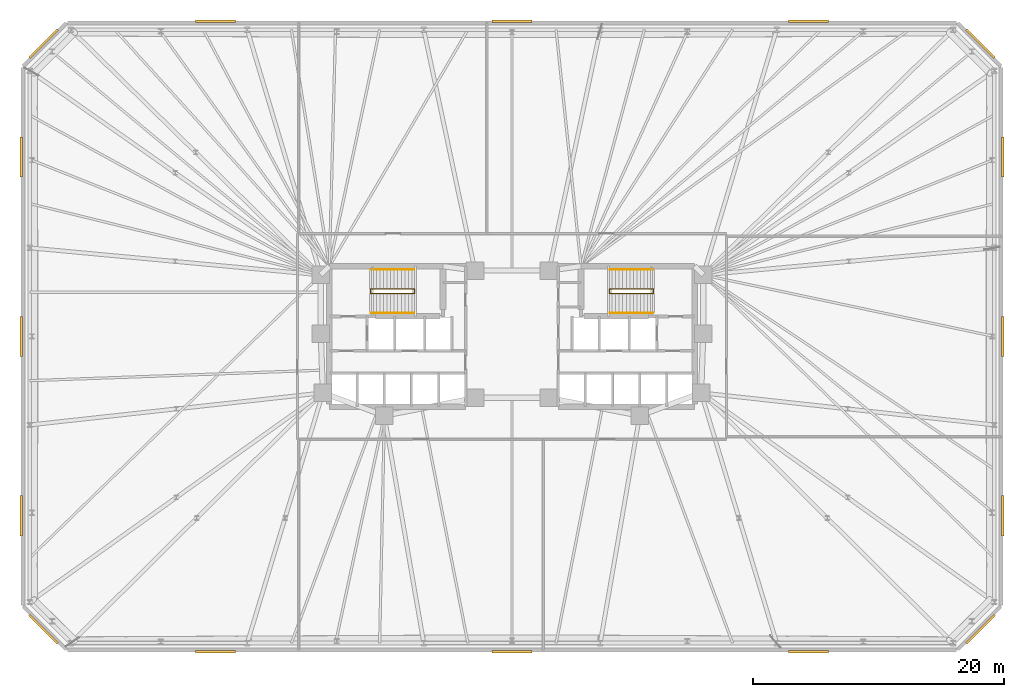
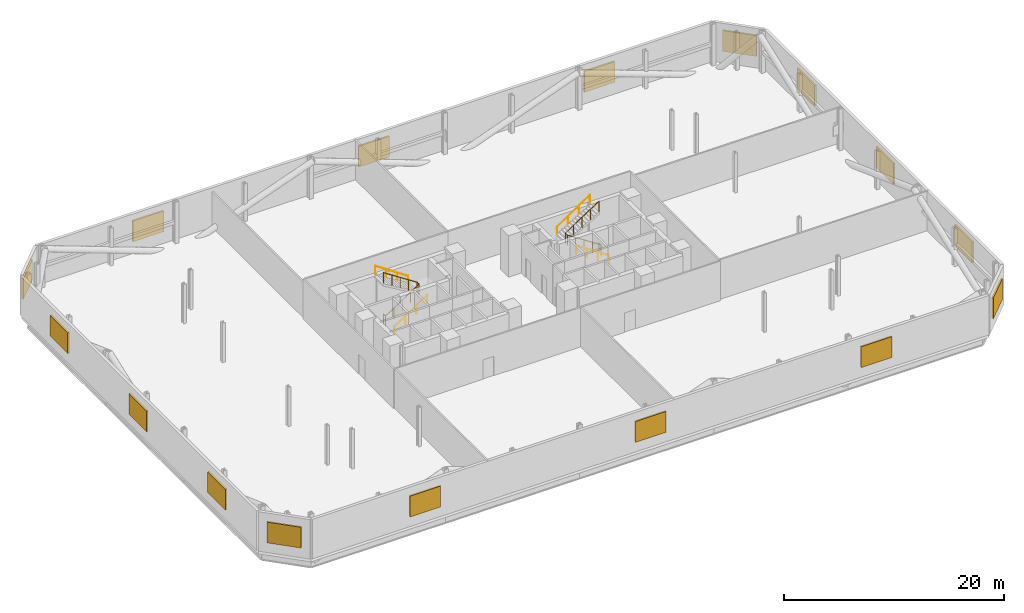
# One storey, part 17 of 17: 16 shading devices, 6 railings.
"""IFC4 building model written with IfcOpenShell, lengths in metres."""

from ifc_helpers import new_model, si_unit, direction, frame, origin, origin_2d, place, context, subcontext, project, spatial, rectangle, circle, extrude, material, type_object, element, save


model = new_model("IFC4")

# Units and contexts
model_context = context("Model", 3, precision=1e-05, world=origin(), true_north=direction((0.0, 1.0)))
body_context = subcontext(model_context, "Body", "Model", "MODEL_VIEW")
ifc_project = project(units=[si_unit("LENGTHUNIT", "METRE"), si_unit("AREAUNIT", "SQUARE_METRE"), si_unit("VOLUMEUNIT", "CUBIC_METRE"), si_unit("PLANEANGLEUNIT", "RADIAN"), si_unit("MASSUNIT", "GRAM", prefix="KILO")], contexts=[model_context])

# Site, building, storey
site_placement = place(None, origin())
site = spatial("IfcSite", under=ifc_project, at=site_placement, CompositionType="ELEMENT")
building_placement = place(site_placement, origin())
building = spatial("IfcBuilding", under=site, at=building_placement, Name="Menara Jurai Vektor", CompositionType="ELEMENT")
storey_placement = place(building_placement, frame((0.0, 0.0, 9.60009765625)))
storey = spatial("IfcBuildingStorey", under=building, at=storey_placement, Name="L01", CompositionType="ELEMENT", Elevation=9.60009765625)

# Shading devices
ifc_material_1 = material(Name="Anodised Pale Aluminium Acoustic Louvre", Category="aluminium")
shading_device_type = type_object("IfcShadingDeviceType", Name="ENV-SHD-LOUVRE", PredefinedType="USERDEFINED", material=ifc_material_1)
for number, where, z_axis, x_axis, name in (
    (1, (-23.63671875, -25.139892578125, 1.125), (0.0, 0.0, 1.0), (1.0, 0.0, 0.0), "Acoustic Plant Weather Louvre L01-E01-1"),
    (2, (0.0, -25.139892578125, 1.125), (0.0, 0.0, 1.0), (1.0, 0.0, 0.0), "Acoustic Plant Weather Louvre L01-E01-2"),
    (3, (23.63671875, -25.139892578125, 1.125), (0.0, 0.0, 1.0), (1.0, 0.0, 0.0), "Acoustic Plant Weather Louvre L01-E01-3"),
    (4, (37.34912109375, -23.34912109375, 1.125), (0.0, 0.0, 1.0), (0.707106781187, 0.707106781187, 0.0), "Acoustic Plant Weather Louvre L01-E02-1"),
    (5, (39.139892578125, -14.30322265625, 1.125), (0.0, 0.0, 1.0), (0.0, 1.0, 0.0), "Acoustic Plant Weather Louvre L01-E03-1"),
    (6, (39.139892578125, 0.0, 1.125), (0.0, 0.0, 1.0), (0.0, 1.0, 0.0), "Acoustic Plant Weather Louvre L01-E03-2"),
    (7, (39.139892578125, 14.30322265625, 1.125), (0.0, 0.0, 1.0), (0.0, 1.0, 0.0), "Acoustic Plant Weather Louvre L01-E03-3"),
    (8, (37.34912109375, 23.34912109375, 1.125), (0.0, 0.0, 1.0), (-0.707106781187, 0.707106781187, 0.0), "Acoustic Plant Weather Louvre L01-E04-1"),
    (9, (23.63671875, 25.139892578125, 1.125), (0.0, 0.0, 1.0), (-1.0, 0.0, 0.0), "Acoustic Plant Weather Louvre L01-E05-1"),
    (10, (0.0, 25.139892578125, 1.125), (0.0, 0.0, 1.0), (-1.0, 0.0, 0.0), "Acoustic Plant Weather Louvre L01-E05-2"),
    (11, (-23.63671875, 25.139892578125, 1.125), (0.0, 0.0, 1.0), (-1.0, 0.0, 0.0), "Acoustic Plant Weather Louvre L01-E05-3"),
    (12, (-37.34912109375, 23.34912109375, 1.125), (0.0, 0.0, 1.0), (-0.707106781187, -0.707106781187, 0.0), "Acoustic Plant Weather Louvre L01-E06-1"),
    (13, (-39.139892578125, 14.30322265625, 1.125), (0.0, 0.0, 1.0), (0.0, -1.0, 0.0), "Acoustic Plant Weather Louvre L01-E07-1"),
    (14, (-39.139892578125, 0.0, 1.125), (0.0, 0.0, 1.0), (0.0, -1.0, 0.0), "Acoustic Plant Weather Louvre L01-E07-2"),
    (15, (-39.139892578125, -14.30322265625, 1.125), (0.0, 0.0, 1.0), (0.0, -1.0, 0.0), "Acoustic Plant Weather Louvre L01-E07-3"),
    (16, (-37.34912109375, -23.34912109375, 1.125), (0.0, 0.0, 1.0), (0.707106781187, -0.707106781187, 0.0), "Acoustic Plant Weather Louvre L01-E08-1"),
):
    element("IfcShadingDevice", number, at=place(storey_placement, frame(where, z_axis=z_axis, x_axis=x_axis)), inside=storey, type_object=shading_device_type, Name=name, ObjectType="LOUVRE", PredefinedType="USERDEFINED", context=body_context, shape_type="SweptSolid", body=[
        extrude(rectangle(XDim=3.199951171875, YDim=0.179931640625, at=origin_2d()), origin(), (0.0, 0.0, 1.0), 2.300048828125),
    ])

# Railings
ifc_material_2 = material(Name="Painted Galvanised Steel Balustrade", Category="steel")
railing_type_1 = type_object("IfcRailingType", Name="RAIL-STAIR-GUARD", PredefinedType="GUARDRAIL", material=ifc_material_2)
railing_1_placement = place(storey_placement, frame((-11.2900390625, 3.780029296875, 0.0)))
element("IfcRailing", 17, at=railing_1_placement, inside=storey, type_object=railing_type_1, Name="ST1 Stair Guardrail 1 L01", PredefinedType="GUARDRAIL", context=body_context, shape_type="SweptSolid", body=[
    extrude(circle(Radius=0.02392578125, at=origin_2d()), frame((0.0, 0.0, 1.1259765625), z_axis=(0.0, -1.0, 0.0), x_axis=(1.0, 0.0, 0.0)), (0.0, 0.0, 1.0), 0.360107421875),
    extrude(circle(Radius=0.02392578125, at=origin_2d()), frame((0.0, -0.360107421875, 1.1259765625), z_axis=(0.837159819193, 0.0, 0.546958350451), x_axis=(0.0, 1.0, 0.0)), (0.0, 0.0, 1.0), 4.204833984375),
    extrude(circle(Radius=0.02392578125, at=origin_2d()), frame((3.52001953125, -0.360107421875, 3.42578125), z_axis=(0.0, 1.0, 0.0), x_axis=(-1.0, 0.0, 0.0)), (0.0, 0.0, 1.0), 0.360107421875),
    extrude(circle(Radius=0.02392578125, at=origin_2d()), frame((3.52001953125, 0.0, 3.42578125), z_axis=(-0.837133232254, 0.0, 0.54699904155), x_axis=(0.0, -1.0, 0.0)), (0.0, 0.0, 1.0), 4.204833984375),
    extrude(circle(Radius=0.02099609375, at=origin_2d()), origin(), (0.0, 0.0, 1.0), 1.101806640625),
    extrude(circle(Radius=0.02099609375, at=origin_2d()), frame((0.0, -0.360107421875, 0.0)), (0.0, 0.0, 1.0), 1.101806640625),
    extrude(circle(Radius=0.02099609375, at=origin_2d()), frame((0.8798828125, -0.360107421875, 0.574951171875)), (0.0, 0.0, 1.0), 1.101806640625),
    extrude(circle(Radius=0.02099609375, at=origin_2d()), frame((1.760009765625, -0.360107421875, 1.14990234375)), (0.0, 0.0, 1.0), 1.101806640625),
    extrude(circle(Radius=0.02099609375, at=origin_2d()), frame((2.64013671875, -0.360107421875, 1.724853515625)), (0.0, 0.0, 1.0), 1.101806640625),
    extrude(circle(Radius=0.02099609375, at=origin_2d()), frame((3.52001953125, -0.360107421875, 2.2998046875)), (0.0, 0.0, 1.0), 1.101806640625),
    extrude(circle(Radius=0.02099609375, at=origin_2d()), frame((3.52001953125, 0.0, 2.2998046875)), (0.0, 0.0, 1.0), 1.101806640625),
    extrude(circle(Radius=0.02099609375, at=origin_2d()), frame((2.64013671875, 0.0, 2.874755859375)), (0.0, 0.0, 1.0), 1.101806640625),
    extrude(circle(Radius=0.02099609375, at=origin_2d()), frame((1.760009765625, 0.0, 3.44970703125)), (0.0, 0.0, 1.0), 1.101806640625),
    extrude(circle(Radius=0.02099609375, at=origin_2d()), frame((0.8798828125, 0.0, 4.02490234375)), (0.0, 0.0, 1.0), 1.101806640625),
    extrude(circle(Radius=0.02099609375, at=origin_2d()), frame((0.0, 0.0, 4.599853515625)), (0.0, 0.0, 1.0), 1.101806640625),
])
railing_2_placement = place(storey_placement, frame((11.2900390625, 3.780029296875, 0.0)))
element("IfcRailing", 18, at=railing_2_placement, inside=storey, type_object=railing_type_1, Name="ST2 Stair Guardrail 1 L01", PredefinedType="GUARDRAIL", context=body_context, shape_type="SweptSolid", body=[
    extrude(circle(Radius=0.02392578125, at=origin_2d()), frame((0.0, 0.0, 1.1259765625), z_axis=(0.0, -1.0, 0.0), x_axis=(1.0, 0.0, 0.0)), (0.0, 0.0, 1.0), 0.360107421875),
    extrude(circle(Radius=0.02392578125, at=origin_2d()), frame((0.0, -0.360107421875, 1.1259765625), z_axis=(-0.837159819193, 0.0, 0.546958350451), x_axis=(0.0, -1.0, 0.0)), (0.0, 0.0, 1.0), 4.204833984375),
    extrude(circle(Radius=0.02392578125, at=origin_2d()), frame((-3.52001953125, -0.360107421875, 3.42578125), z_axis=(0.0, 1.0, 0.0), x_axis=(-1.0, 0.0, 0.0)), (0.0, 0.0, 1.0), 0.360107421875),
    extrude(circle(Radius=0.02392578125, at=origin_2d()), frame((-3.52001953125, 0.0, 3.42578125), z_axis=(0.837133232254, 0.0, 0.54699904155), x_axis=(0.0, 1.0, 0.0)), (0.0, 0.0, 1.0), 4.204833984375),
    extrude(circle(Radius=0.02099609375, at=origin_2d()), origin(), (0.0, 0.0, 1.0), 1.101806640625),
    extrude(circle(Radius=0.02099609375, at=origin_2d()), frame((0.0, -0.360107421875, 0.0)), (0.0, 0.0, 1.0), 1.101806640625),
    extrude(circle(Radius=0.02099609375, at=origin_2d()), frame((-0.8798828125, -0.360107421875, 0.574951171875)), (0.0, 0.0, 1.0), 1.101806640625),
    extrude(circle(Radius=0.02099609375, at=origin_2d()), frame((-1.760009765625, -0.360107421875, 1.14990234375)), (0.0, 0.0, 1.0), 1.101806640625),
    extrude(circle(Radius=0.02099609375, at=origin_2d()), frame((-2.64013671875, -0.360107421875, 1.724853515625)), (0.0, 0.0, 1.0), 1.101806640625),
    extrude(circle(Radius=0.02099609375, at=origin_2d()), frame((-3.52001953125, -0.360107421875, 2.2998046875)), (0.0, 0.0, 1.0), 1.101806640625),
    extrude(circle(Radius=0.02099609375, at=origin_2d()), frame((-3.52001953125, 0.0, 2.2998046875)), (0.0, 0.0, 1.0), 1.101806640625),
    extrude(circle(Radius=0.02099609375, at=origin_2d()), frame((-2.64013671875, 0.0, 2.874755859375)), (0.0, 0.0, 1.0), 1.101806640625),
    extrude(circle(Radius=0.02099609375, at=origin_2d()), frame((-1.760009765625, 0.0, 3.44970703125)), (0.0, 0.0, 1.0), 1.101806640625),
    extrude(circle(Radius=0.02099609375, at=origin_2d()), frame((-0.8798828125, 0.0, 4.02490234375)), (0.0, 0.0, 1.0), 1.101806640625),
    extrude(circle(Radius=0.02099609375, at=origin_2d()), frame((0.0, 0.0, 4.599853515625)), (0.0, 0.0, 1.0), 1.101806640625),
])
ifc_material_3 = material(Name="Brushed Stainless Steel Handrail", Category="steel")
railing_type_2 = type_object("IfcRailingType", Name="RAIL-STAIR-HAND", PredefinedType="HANDRAIL", material=ifc_material_3)
railing_3_placement = place(storey_placement, frame((-11.25, 1.860107421875, 0.0)))
element("IfcRailing", 19, at=railing_3_placement, inside=storey, type_object=railing_type_2, Name="ST1 Stair Handrail 1 L01", PredefinedType="HANDRAIL", context=body_context, shape_type="SweptSolid", body=[
    extrude(circle(Radius=0.02392578125, at=origin_2d()), frame((0.0, 0.0, 0.89599609375), z_axis=(0.831323415798, 0.0, 0.555788969256), x_axis=(0.0, 1.0, 0.0)), (0.0, 0.0, 1.0), 4.137939453125),
    extrude(circle(Radius=0.02099609375, at=origin_2d()), origin(), (0.0, 0.0, 1.0), 0.871826171875),
    extrude(circle(Radius=0.02099609375, at=origin_2d()), frame((1.146728515625, 0.0, 0.7666015625)), (0.0, 0.0, 1.0), 0.871826171875),
    extrude(circle(Radius=0.02099609375, at=origin_2d()), frame((2.293212890625, 0.0, 1.533203125)), (0.0, 0.0, 1.0), 0.871826171875),
    extrude(circle(Radius=0.02099609375, at=origin_2d()), frame((3.43994140625, 0.0, 2.2998046875)), (0.0, 0.0, 1.0), 0.871826171875),
])
railing_4_placement = place(storey_placement, frame((-7.81005859375, 5.340087890625, 2.2998046875)))
element("IfcRailing", 20, at=railing_4_placement, inside=storey, type_object=railing_type_2, Name="ST1 Stair Handrail 2 L01", PredefinedType="HANDRAIL", context=body_context, shape_type="SweptSolid", body=[
    extrude(circle(Radius=0.02392578125, at=origin_2d()), frame((0.0, 0.0, 0.89599609375), z_axis=(-0.831296154869, 0.0, 0.555829742727), x_axis=(0.0, -1.0, 0.0)), (0.0, 0.0, 1.0), 4.137939453125),
    extrude(circle(Radius=0.02099609375, at=origin_2d()), origin(), (0.0, 0.0, 1.0), 0.871826171875),
    extrude(circle(Radius=0.02099609375, at=origin_2d()), frame((-1.146728515625, 0.0, 0.7666015625)), (0.0, 0.0, 1.0), 0.871826171875),
    extrude(circle(Radius=0.02099609375, at=origin_2d()), frame((-2.293212890625, 0.0, 1.533447265625)), (0.0, 0.0, 1.0), 0.871826171875),
    extrude(circle(Radius=0.02099609375, at=origin_2d()), frame((-3.43994140625, 0.0, 2.300048828125)), (0.0, 0.0, 1.0), 0.871826171875),
])
railing_5_placement = place(storey_placement, frame((11.25, 1.860107421875, 0.0)))
element("IfcRailing", 21, at=railing_5_placement, inside=storey, type_object=railing_type_2, Name="ST2 Stair Handrail 1 L01", PredefinedType="HANDRAIL", context=body_context, shape_type="SweptSolid", body=[
    extrude(circle(Radius=0.02392578125, at=origin_2d()), frame((0.0, 0.0, 0.89599609375), z_axis=(-0.831323415798, 0.0, 0.555788969256), x_axis=(0.0, -1.0, 0.0)), (0.0, 0.0, 1.0), 4.137939453125),
    extrude(circle(Radius=0.02099609375, at=origin_2d()), origin(), (0.0, 0.0, 1.0), 0.871826171875),
    extrude(circle(Radius=0.02099609375, at=origin_2d()), frame((-1.146728515625, 0.0, 0.7666015625)), (0.0, 0.0, 1.0), 0.871826171875),
    extrude(circle(Radius=0.02099609375, at=origin_2d()), frame((-2.293212890625, 0.0, 1.533203125)), (0.0, 0.0, 1.0), 0.871826171875),
    extrude(circle(Radius=0.02099609375, at=origin_2d()), frame((-3.43994140625, 0.0, 2.2998046875)), (0.0, 0.0, 1.0), 0.871826171875),
])
railing_6_placement = place(storey_placement, frame((7.81005859375, 5.340087890625, 2.2998046875)))
element("IfcRailing", 22, at=railing_6_placement, inside=storey, type_object=railing_type_2, Name="ST2 Stair Handrail 2 L01", PredefinedType="HANDRAIL", context=body_context, shape_type="SweptSolid", body=[
    extrude(circle(Radius=0.02392578125, at=origin_2d()), frame((0.0, 0.0, 0.89599609375), z_axis=(0.831296154869, 0.0, 0.555829742727), x_axis=(0.0, 1.0, 0.0)), (0.0, 0.0, 1.0), 4.137939453125),
    extrude(circle(Radius=0.02099609375, at=origin_2d()), origin(), (0.0, 0.0, 1.0), 0.871826171875),
    extrude(circle(Radius=0.02099609375, at=origin_2d()), frame((1.146728515625, 0.0, 0.7666015625)), (0.0, 0.0, 1.0), 0.871826171875),
    extrude(circle(Radius=0.02099609375, at=origin_2d()), frame((2.293212890625, 0.0, 1.533447265625)), (0.0, 0.0, 1.0), 0.871826171875),
    extrude(circle(Radius=0.02099609375, at=origin_2d()), frame((3.43994140625, 0.0, 2.300048828125)), (0.0, 0.0, 1.0), 0.871826171875),
])

save(model, "model.ifc")
